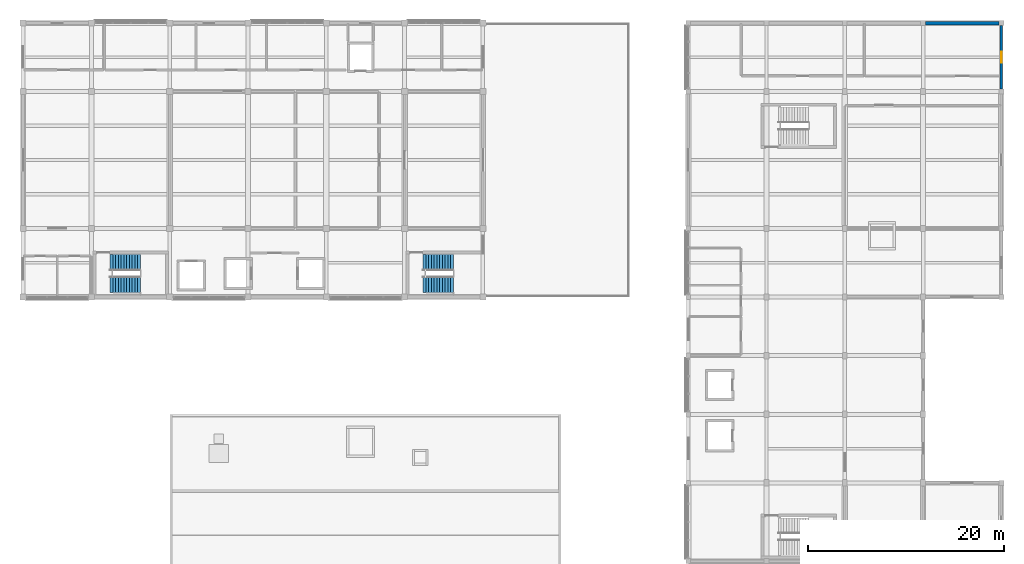
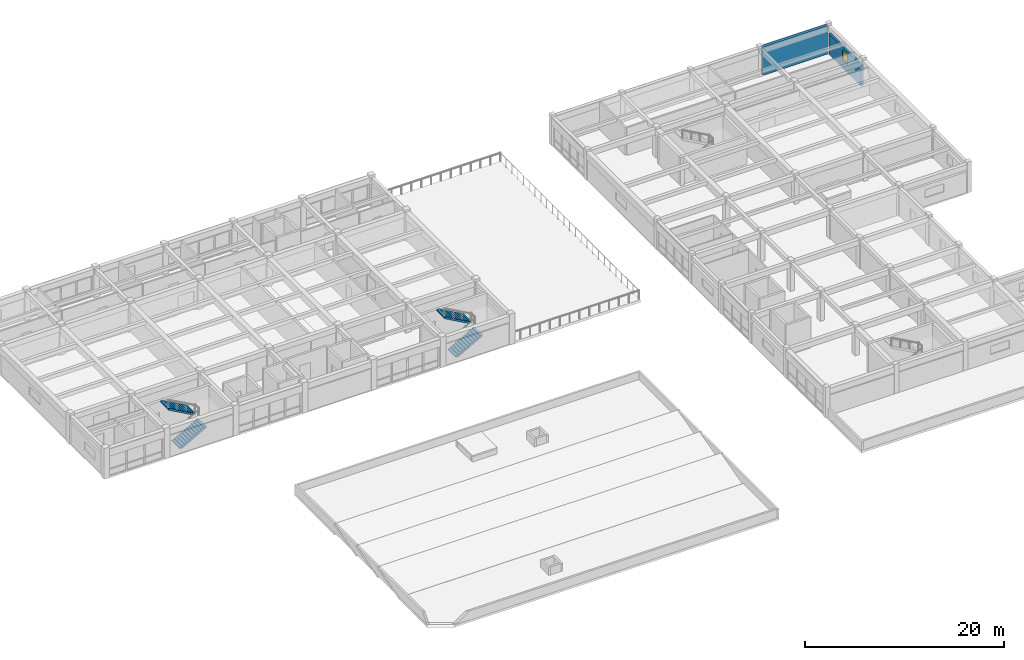
# One storey, part 16 of 22: 4 stair flights, 2 walls, 1 window, 1 opening, 2 elements without a shape of their own.
"""IFC4 building model written with IfcOpenShell, lengths in metres."""

from ifc_helpers import new_model, si_unit, direction, frame, frame_2d, origin, place, context, subcontext, project, spatial, polyline, rectangle, outline, extrude, material, layer, layer_set, type_object, element, fill, aggregate, save


model = new_model("IFC4")

# Units and contexts
model_context = context("Model", 3, precision=1e-05, world=origin(), true_north=direction((0.0, 1.0)))
body_context = subcontext(model_context, "Body", "Model", "MODEL_VIEW")
ifc_project = project(units=[si_unit("LENGTHUNIT", "METRE"), si_unit("AREAUNIT", "SQUARE_METRE"), si_unit("VOLUMEUNIT", "CUBIC_METRE"), si_unit("PLANEANGLEUNIT", "RADIAN"), si_unit("MASSUNIT", "GRAM", prefix="KILO")], contexts=[model_context])

# Site, building, storey
site_placement = place(None, origin())
site = spatial("IfcSite", under=ifc_project, at=site_placement, CompositionType="ELEMENT")
building_placement = place(site_placement, origin())
building = spatial("IfcBuilding", under=site, at=building_placement, Name="Naurynzar Civic Courthouse", CompositionType="ELEMENT")
storey_placement = place(building_placement, frame((0.0, 0.0, 25.800048828125)))
storey = spatial("IfcBuildingStorey", under=building, at=storey_placement, Name="L07", CompositionType="ELEMENT", Elevation=25.800048828125)

# Wall, opening, window
ifc_material_1 = material(Name="Precast concrete C40/50", Category="concrete")
ifc_layer_1 = layer(ifc_material_1, 0.260009765625)
ifc_layer_set_1 = layer_set([ifc_layer_1], Name="WL-EXT-260")
wall_type_1 = type_object("IfcWallType", Name="WL-EXT-260", PredefinedType="SOLIDWALL", material=ifc_layer_set_1)
wall_1_placement = place(storey_placement, frame((162.0, 71.75, 0.0), z_axis=(0.0, 0.0, 1.0), x_axis=(0.0, -1.0, 0.0)))
wall_1 = element("IfcWall", 1, at=wall_1_placement, inside=storey, type_object=wall_type_1, Name="V5 exterior wall east_north L07.1.1", PredefinedType="SOLIDWALL", context=body_context, shape_type="SweptSolid", body=[
    extrude(rectangle(XDim=6.5, YDim=0.260009765625, at=frame_2d((3.25, 0.0))), origin(), (0.0, 0.0, 1.0), 2.550048828125),
])
opening_placement = place(wall_1_placement, frame((2.699951171875, 0.0, 1.0)))
opening = element("IfcOpeningElement", 2, at=opening_placement, cuts=wall_1, Name="Opening WN-15", PredefinedType="OPENING", context=body_context, shape_type="SweptSolid", body=[
    extrude(rectangle(XDim=1.10009765625, YDim=1.199951171875, at=frame_2d((0.550048828125, 0.60009765625))), frame((0.0, 0.139892578125, 0.0), z_axis=(0.0, -1.0, 0.0), x_axis=(1.0, 0.0, 0.0)), (0.0, 0.0, 1.0), 0.280029296875),
])
ifc_material_2 = material(Name="Tempered Laminated Low-E Glass", Category="glass")
window_type = type_object("IfcWindowType", Name="WIN-SEC-1100x1200", PartitioningType="SINGLE_PANEL", PredefinedType="WINDOW", material=ifc_material_2)
window_placement = place(opening_placement, origin())
window = element("IfcWindow", 3, at=window_placement, inside=storey, type_object=window_type, Name="V5 window 355 L07", OverallHeight=1.199951171875, OverallWidth=1.10009765625, PartitioningType="SINGLE_PANEL", PredefinedType="WINDOW", context=body_context, shape_type="SweptSolid", body=[
    extrude(rectangle(XDim=1.10009765625, YDim=1.199951171875, at=frame_2d((0.550048828125, 0.60009765625))), frame((0.0, 0.030029296875, 0.0), z_axis=(0.0, -1.0, 0.0), x_axis=(1.0, 0.0, 0.0)), (0.0, 0.0, 1.0), 0.06005859375),
])
fill(opening, window)

# Wall
ifc_material_3 = material(Name="Concrete C40/50", Category="concrete")
ifc_layer_2 = layer(ifc_material_3, 0.360107421875)
ifc_layer_set_2 = layer_set([ifc_layer_2], Name="WL-PARTY-360")
wall_type_2 = type_object("IfcWallType", Name="WL-PARTY-360", PredefinedType="SOLIDWALL", material=ifc_layer_set_2)
wall_2_placement = place(storey_placement, frame((154.25, 72.0, 0.0), z_axis=(0.0, 0.0, 1.0), x_axis=(1.0, 0.0, 0.0)))
element("IfcWall", 4, at=wall_2_placement, inside=storey, type_object=wall_type_2, Name="V5 solid seismic party wall L07 4", PredefinedType="SOLIDWALL", context=body_context, shape_type="SweptSolid", body=[
    extrude(rectangle(XDim=7.5, YDim=0.360107421875, at=frame_2d((3.75, 0.0))), origin(), (0.0, 0.0, 1.0), 3.469970703125),
])

# Stair, stair flights
ifc_material_4 = material(Name="Concrete C35/45", Category="concrete")
stair_type = type_object("IfcStairType", Name="STAIR-CORE-1600", PredefinedType="TWO_STRAIGHT_RUN_STAIR", material=ifc_material_4)
stair_1_placement = place(storey_placement, origin())
stair_1 = element("IfcStair", 5, at=stair_1_placement, inside=storey, type_object=stair_type, Name="Enclosed escape stair ST-V2A L07", PredefinedType="TWO_STRAIGHT_RUN_STAIR")
ifc_material_5 = material(Name="Concrete C35/45", Category="concrete")
stair_flight_type = type_object("IfcStairFlightType", Name="FLIGHT-RC-1600", PredefinedType="STRAIGHT", material=ifc_material_5)
stair_flight_1_placement = place(storey_placement, frame((70.89990234375, 45.280029296875, 0.0), z_axis=(0.0, 0.0, 1.0), x_axis=(1.0, 0.0, 0.0)))
stair_flight_1 = element("IfcStairFlight", 6, at=stair_flight_1_placement, type_object=stair_flight_type, Name="ST-V2A-L07 flight 1", NumberOfRisers=12, NumberOfTreads=11, PredefinedType="STRAIGHT", RiserHeight=0.15625, TreadLength=0.28, context=body_context, shape_type="SweptSolid", body=[
    extrude(outline(polyline([(0.0, 0.0), (0.0, 0.15625), (0.280029296875, 0.15625), (0.280029296875, 0.3125), (0.56005859375, 0.3125), (0.56005859375, 0.46875), (0.840087890625, 0.46875), (0.840087890625, 0.625), (1.1201171875, 0.625), (1.1201171875, 0.78125), (1.39990234375, 0.78125), (1.39990234375, 0.9375), (1.679931640625, 0.9375), (1.679931640625, 1.09375), (1.9599609375, 1.09375), (1.9599609375, 1.25), (2.239990234375, 1.25), (2.239990234375, 1.40625), (2.52001953125, 1.40625), (2.52001953125, 1.5625), (2.800048828125, 1.5625), (2.800048828125, 1.71875), (3.080078125, 1.71875), (3.080078125, 1.875), (3.080078125, 1.5126953125), (0.369140625, 0.0), (0.0, 0.0)])), frame((0.0, 0.800048828125, 0.0), z_axis=(0.0, -1.0, 0.0), x_axis=(1.0, 0.0, 0.0)), (0.0, 0.0, 1.0), 1.60009765625),
])
stair_flight_2_placement = place(storey_placement, frame((73.97998046875, 47.52001953125, 1.875), z_axis=(0.0, 0.0, 1.0), x_axis=(-1.0, 0.0, 0.0)))
stair_flight_2 = element("IfcStairFlight", 7, at=stair_flight_2_placement, type_object=stair_flight_type, Name="ST-V2A-L07 flight 2", NumberOfRisers=12, NumberOfTreads=11, PredefinedType="STRAIGHT", RiserHeight=0.15625, TreadLength=0.28, context=body_context, shape_type="SweptSolid", body=[
    extrude(outline(polyline([(0.0, 0.0), (0.0, 0.15625), (0.280029296875, 0.15625), (0.280029296875, 0.3125), (0.56005859375, 0.3125), (0.56005859375, 0.46875), (0.840087890625, 0.46875), (0.840087890625, 0.625), (1.1201171875, 0.625), (1.1201171875, 0.78125), (1.39990234375, 0.78125), (1.39990234375, 0.9375), (1.679931640625, 0.9375), (1.679931640625, 1.09375), (1.9599609375, 1.09375), (1.9599609375, 1.25), (2.239990234375, 1.25), (2.239990234375, 1.40625), (2.52001953125, 1.40625), (2.52001953125, 1.5625), (2.800048828125, 1.5625), (2.800048828125, 1.71875), (3.080078125, 1.71875), (3.080078125, 1.875), (3.080078125, 1.5126953125), (0.369140625, 0.0), (0.0, 0.0)])), frame((0.0, 0.800048828125, 0.0), z_axis=(0.0, -1.0, 0.0), x_axis=(1.0, 0.0, 0.0)), (0.0, 0.0, 1.0), 1.60009765625),
])
aggregate(stair_1, [stair_flight_1, stair_flight_2])

stair_2_placement = place(storey_placement, origin())
stair_2 = element("IfcStair", 8, at=stair_2_placement, inside=storey, type_object=stair_type, Name="Enclosed escape stair ST-V2B L07", PredefinedType="TWO_STRAIGHT_RUN_STAIR")
stair_flight_3_placement = place(storey_placement, frame((102.89990234375, 45.280029296875, 0.0), z_axis=(0.0, 0.0, 1.0), x_axis=(1.0, 0.0, 0.0)))
stair_flight_3 = element("IfcStairFlight", 9, at=stair_flight_3_placement, type_object=stair_flight_type, Name="ST-V2B-L07 flight 1", NumberOfRisers=12, NumberOfTreads=11, PredefinedType="STRAIGHT", RiserHeight=0.15625, TreadLength=0.28, context=body_context, shape_type="SweptSolid", body=[
    extrude(outline(polyline([(0.0, 0.0), (0.0, 0.15625), (0.280029296875, 0.15625), (0.280029296875, 0.3125), (0.56005859375, 0.3125), (0.56005859375, 0.46875), (0.840087890625, 0.46875), (0.840087890625, 0.625), (1.1201171875, 0.625), (1.1201171875, 0.78125), (1.39990234375, 0.78125), (1.39990234375, 0.9375), (1.679931640625, 0.9375), (1.679931640625, 1.09375), (1.9599609375, 1.09375), (1.9599609375, 1.25), (2.239990234375, 1.25), (2.239990234375, 1.40625), (2.52001953125, 1.40625), (2.52001953125, 1.5625), (2.800048828125, 1.5625), (2.800048828125, 1.71875), (3.080078125, 1.71875), (3.080078125, 1.875), (3.080078125, 1.5126953125), (0.369140625, 0.0), (0.0, 0.0)])), frame((0.0, 0.800048828125, 0.0), z_axis=(0.0, -1.0, 0.0), x_axis=(1.0, 0.0, 0.0)), (0.0, 0.0, 1.0), 1.60009765625),
])
stair_flight_4_placement = place(storey_placement, frame((105.97998046875, 47.52001953125, 1.875), z_axis=(0.0, 0.0, 1.0), x_axis=(-1.0, 0.0, 0.0)))
stair_flight_4 = element("IfcStairFlight", 10, at=stair_flight_4_placement, type_object=stair_flight_type, Name="ST-V2B-L07 flight 2", NumberOfRisers=12, NumberOfTreads=11, PredefinedType="STRAIGHT", RiserHeight=0.15625, TreadLength=0.28, context=body_context, shape_type="SweptSolid", body=[
    extrude(outline(polyline([(0.0, 0.0), (0.0, 0.15625), (0.280029296875, 0.15625), (0.280029296875, 0.3125), (0.56005859375, 0.3125), (0.56005859375, 0.46875), (0.840087890625, 0.46875), (0.840087890625, 0.625), (1.1201171875, 0.625), (1.1201171875, 0.78125), (1.39990234375, 0.78125), (1.39990234375, 0.9375), (1.679931640625, 0.9375), (1.679931640625, 1.09375), (1.9599609375, 1.09375), (1.9599609375, 1.25), (2.239990234375, 1.25), (2.239990234375, 1.40625), (2.52001953125, 1.40625), (2.52001953125, 1.5625), (2.800048828125, 1.5625), (2.800048828125, 1.71875), (3.080078125, 1.71875), (3.080078125, 1.875), (3.080078125, 1.5126953125), (0.369140625, 0.0), (0.0, 0.0)])), frame((0.0, 0.800048828125, 0.0), z_axis=(0.0, -1.0, 0.0), x_axis=(1.0, 0.0, 0.0)), (0.0, 0.0, 1.0), 1.60009765625),
])
aggregate(stair_2, [stair_flight_3, stair_flight_4])

save(model, "model.ifc")
